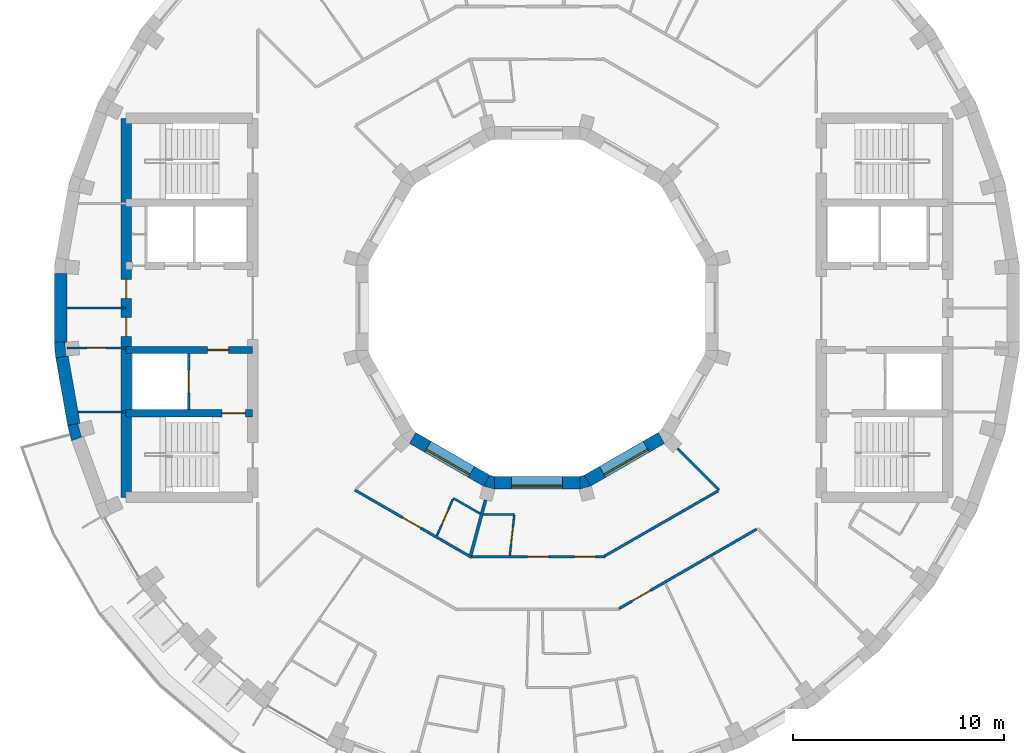
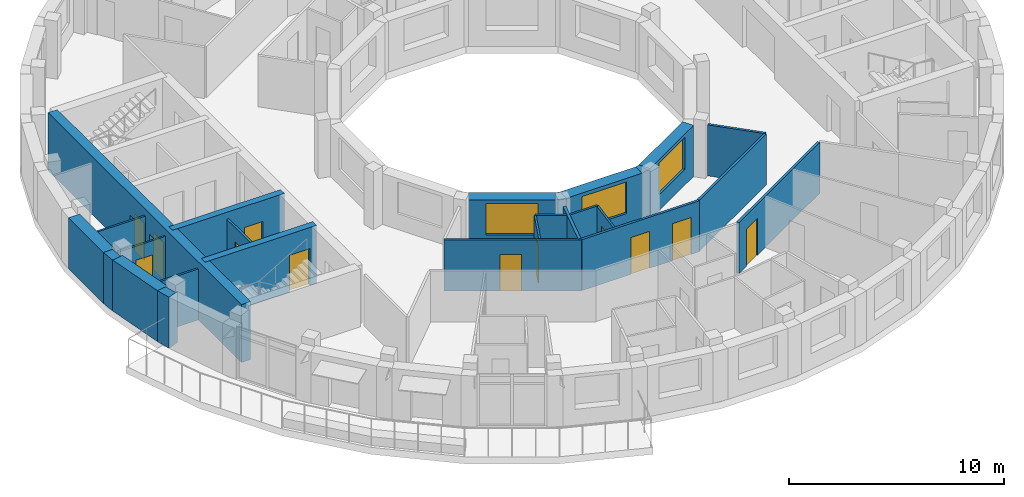
# One storey, part 5 of 12: 26 walls, 12 doors, 3 windows, 15 openings.
"""IFC4 building model written with IfcOpenShell, lengths in metres."""

from ifc_helpers import new_model, si_unit, direction, frame, frame_2d, origin, place, context, subcontext, project, spatial, polyline, rectangle, outline, extrude, material, layer, layer_set, type_object, element, fill, save


model = new_model("IFC4")

# Units and contexts
model_context = context("Model", 3, precision=1e-05, world=origin(), true_north=direction((0.0, 1.0)))
body_context = subcontext(model_context, "Body", "Model", "MODEL_VIEW")
ifc_project = project(units=[si_unit("LENGTHUNIT", "METRE"), si_unit("AREAUNIT", "SQUARE_METRE"), si_unit("VOLUMEUNIT", "CUBIC_METRE"), si_unit("PLANEANGLEUNIT", "RADIAN"), si_unit("MASSUNIT", "GRAM", prefix="KILO")], contexts=[model_context])

# Site, building, storey
site_placement = place(None, origin())
site = spatial("IfcSite", under=ifc_project, at=site_placement, CompositionType="ELEMENT")
building_placement = place(site_placement, origin())
building = spatial("IfcBuilding", under=site, at=building_placement, Name="Saqina Gate Tower", CompositionType="ELEMENT")
storey_placement = place(building_placement, frame((0.0, 0.0, 262.699951171875)))
storey = spatial("IfcBuildingStorey", under=building, at=storey_placement, Name="L75", CompositionType="ELEMENT", Elevation=262.699951171875)

# Walls
ifc_material_1 = material(Name="Brick masonry (buff)", Category="masonry")
wall_type_1 = type_object("IfcWallType", Name="BRICK PIER COPING BUFF", PredefinedType="SOLIDWALL", material=ifc_material_1)
wall_1_placement = place(storey_placement, origin())
element("IfcWall", 1, at=wall_1_placement, inside=storey, type_object=wall_type_1, Name="Pier cap L75 column 19", PredefinedType="SOLIDWALL", context=body_context, shape_type="SweptSolid", body=[
    extrude(outline(polyline([(-22.91259765625, -1.625732421875), (-22.8466796875, -2.377685546875), (-22.255859375, -2.2734375), (-22.361083984375, -2.28271484375), (-22.417724609375, -1.635009765625), (-22.3125, -1.625732421875), (-22.91259765625, -1.625732421875)])), origin(), (0.0, 0.0, 1.0), 2.900146484375),
])
wall_2_placement = place(storey_placement, origin())
element("IfcWall", 2, at=wall_2_placement, inside=storey, type_object=wall_type_1, Name="Pier cap L75 column 20", PredefinedType="SOLIDWALL", context=body_context, shape_type="SweptSolid", body=[
    extrude(outline(polyline([(-22.0869140625, -6.30859375), (-21.52294921875, -6.103515625), (-21.625, -6.130859375), (-21.793212890625, -5.5029296875), (-21.691162109375, -5.4755859375), (-22.281982421875, -5.579833984375), (-22.0869140625, -6.30859375)])), origin(), (0.0, 0.0, 1.0), 2.900146484375),
])
ifc_material_2 = material(Name="Gypsum board on steel studs", Category="steel")
ifc_layer_1 = layer(ifc_material_2, 0.10009765625)
ifc_layer_set_1 = layer_set([ifc_layer_1], Name="CORE PARTITION")
wall_type_2 = type_object("IfcWallType", Name="CORE PARTITION", PredefinedType="PARTITIONING", material=ifc_layer_set_1)
wall_3_placement = place(storey_placement, frame((-19.5, -4.949951171875, 0.0), z_axis=(0.0, 0.0, 1.0), x_axis=(-1.0, 0.0, 0.0)))
element("IfcWall", 3, at=wall_3_placement, inside=storey, type_object=wall_type_2, Name="L75-CP-W03", PredefinedType="PARTITIONING", context=body_context, shape_type="SweptSolid", body=[
    extrude(rectangle(XDim=2.283935546875, YDim=0.10009765625, at=frame_2d((1.14208984375, 0.0))), origin(), (0.0, 0.0, 1.0), 2.900146484375),
])

# Wall, opening, door
wall_4_placement = place(storey_placement, frame((-19.5, -1.89990234375, 0.0), z_axis=(0.0, 0.0, 1.0), x_axis=(-1.0, 0.0, 0.0)))
wall_4 = element("IfcWall", 4, at=wall_4_placement, inside=storey, type_object=wall_type_2, Name="L75-CP-W04", PredefinedType="PARTITIONING", context=body_context, shape_type="SweptSolid", body=[
    extrude(rectangle(XDim=2.8125, YDim=0.10009765625, at=frame_2d((1.40625, 0.0))), origin(), (0.0, 0.0, 1.0), 2.900146484375),
])
opening_1_placement = place(wall_4_placement, frame((0.956298828125, 0.0, 0.0)))
opening_1 = element("IfcOpeningElement", 5, at=opening_1_placement, cuts=wall_4, Name="Opening G22-D103", PredefinedType="OPENING", context=body_context, shape_type="SweptSolid", body=[
    extrude(rectangle(XDim=0.89990234375, YDim=2.10009765625, at=frame_2d((0.449951171875, 1.050048828125))), frame((0.0, 0.06201171875, 0.0), z_axis=(0.0, -1.0, 0.0), x_axis=(1.0, 0.0, 0.0)), (0.0, 0.0, 1.0), 0.1240234375),
])
ifc_material_3 = material(Name="Steel-framed fire door leaf, EI 60", Category="steel")
door_type_1 = type_object("IfcDoorType", Name="SERVICE ROOM DOOR 900", OperationType="SINGLE_SWING_LEFT", PredefinedType="DOOR", material=ifc_material_3)
door_1_placement = place(opening_1_placement, origin())
door_1 = element("IfcDoor", 6, at=door_1_placement, inside=storey, type_object=door_type_1, Name="L75-CD-W14", OperationType="SINGLE_SWING_RIGHT", OverallHeight=2.10009765625, OverallWidth=0.89990234375, PredefinedType="DOOR", context=body_context, shape_type="SweptSolid", body=[
    extrude(rectangle(XDim=0.89990234375, YDim=2.10009765625, at=frame_2d((0.449951171875, 1.050048828125))), frame((0.0, 0.02490234375, 0.0), z_axis=(0.0, -1.0, 0.0), x_axis=(1.0, 0.0, 0.0)), (0.0, 0.0, 1.0), 0.050048828125),
])
fill(opening_1, door_1)

# Walls
wall_5_placement = place(storey_placement, frame((-19.5, 0.0, 0.0), z_axis=(0.0, 0.0, 1.0), x_axis=(-1.0, 0.0, 0.0)))
element("IfcWall", 7, at=wall_5_placement, inside=storey, type_object=wall_type_2, Name="L75-CP-W05", PredefinedType="PARTITIONING", context=body_context, shape_type="SweptSolid", body=[
    extrude(rectangle(XDim=2.8125, YDim=0.10009765625, at=frame_2d((1.40625, 0.0))), origin(), (0.0, 0.0, 1.0), 2.900146484375),
])
ifc_material_4 = material(Name="Glazed ceramic tile", Category="ceramic")
ifc_layer_2 = layer(ifc_material_4, 0.60009765625)
ifc_layer_set_2 = layer_set([ifc_layer_2], Name="FW-TILE")
wall_type_3 = type_object("IfcWallType", Name="FW-TILE", PredefinedType="SOLIDWALL", material=ifc_layer_set_2)
wall_6_placement = place(storey_placement, frame((-22.612548828125, 1.625732421875, 0.0), z_axis=(0.0, 0.0, 1.0), x_axis=(0.0, -1.0, 0.0)))
element("IfcWall", 8, at=wall_6_placement, inside=storey, type_object=wall_type_3, Name="Facade wall L75 facet 18", PredefinedType="SOLIDWALL", context=body_context, shape_type="SweptSolid", body=[
    extrude(rectangle(XDim=3.25146484375, YDim=0.60009765625, at=frame_2d((1.625732421875, 0.0))), origin(), (0.0, 0.0, 1.0), 2.900146484375),
])
ifc_material_5 = material(Name="Glazed ceramic tile (dark blue)", Category="ceramic")
ifc_layer_3 = layer(ifc_material_5, 0.60009765625)
ifc_layer_set_3 = layer_set([ifc_layer_3], Name="FW-TILE-CB")
wall_type_4 = type_object("IfcWallType", Name="FW-TILE-CB", PredefinedType="SOLIDWALL", material=ifc_layer_set_3)
wall_7_placement = place(storey_placement, frame((-22.55126953125, -2.325439453125, 0.0), z_axis=(0.0, 0.0, 1.0), x_axis=(0.173656842178, -0.984806225186, 0.0)))
element("IfcWall", 9, at=wall_7_placement, inside=storey, type_object=wall_type_4, Name="Facade wall L75 facet 19", PredefinedType="SOLIDWALL", context=body_context, shape_type="SweptSolid", body=[
    extrude(rectangle(XDim=3.251708984375, YDim=0.60009765625, at=frame_2d((1.6259765625, 0.0))), origin(), (0.0, 0.0, 1.0), 2.900146484375),
])

# Wall, opening, window
ifc_material_6 = material(Name="Glazed ceramic tile", Category="ceramic")
ifc_layer_4 = layer(ifc_material_6, 0.60009765625)
ifc_layer_set_4 = layer_set([ifc_layer_4], Name="IW-TILE")
wall_type_5 = type_object("IfcWallType", Name="IW-TILE", PredefinedType="SOLIDWALL", material=ifc_layer_set_4)
wall_8_placement = place(storey_placement, frame((-5.907470703125, -6.17333984375, 0.0), z_axis=(0.0, 0.0, 1.0), x_axis=(0.866028316509, -0.499994954979, 0.0)))
wall_8 = element("IfcWall", 10, at=wall_8_placement, inside=storey, type_object=wall_type_5, Name="Well wall L75 facet 8", PredefinedType="SOLIDWALL", context=body_context, shape_type="SweptSolid", body=[
    extrude(rectangle(XDim=4.05859375, YDim=0.60009765625, at=frame_2d((2.029296875, 0.0))), origin(), (0.0, 0.0, 1.0), 2.900146484375),
])
opening_2_placement = place(wall_8_placement, frame((0.829345703125, 0.0, 0.89990234375)))
opening_2 = element("IfcOpeningElement", 11, at=opening_2_placement, cuts=wall_8, Name="Opening G22-W30", PredefinedType="OPENING", context=body_context, shape_type="SweptSolid", body=[
    extrude(rectangle(XDim=2.39990234375, YDim=1.800048828125, at=frame_2d((1.199951171875, 0.89990234375))), frame((0.0, 0.31201171875, 0.0), z_axis=(0.0, -1.0, 0.0), x_axis=(1.0, 0.0, 0.0)), (0.0, 0.0, 1.0), 0.6240234375),
])
ifc_material_7 = material(Name="Aluminium glazing", Category="aluminium")
window_type = type_object("IfcWindowType", Name="WN-W", PartitioningType="SINGLE_PANEL", PredefinedType="WINDOW", material=ifc_material_7)
window_1_placement = place(opening_2_placement, origin())
window_1 = element("IfcWindow", 12, at=window_1_placement, inside=storey, type_object=window_type, Name="Well window L75 facet 8", OverallHeight=1.800048828125, OverallWidth=2.39990234375, PartitioningType="SINGLE_PANEL", PredefinedType="WINDOW", context=body_context, shape_type="SweptSolid", body=[
    extrude(rectangle(XDim=2.39990234375, YDim=1.800048828125, at=frame_2d((1.199951171875, 0.89990234375))), frame((0.0, -0.119873046875, 0.0), z_axis=(0.0, -1.0, 0.0), x_axis=(1.0, 0.0, 0.0)), (0.0, 0.0, 1.0), 0.06005859375),
])
fill(opening_2, window_1)

wall_9_placement = place(storey_placement, frame((-2.029296875, -8.300048828125, 0.0), z_axis=(0.0, 0.0, 1.0), x_axis=(1.0, 0.0, 0.0)))
wall_9 = element("IfcWall", 13, at=wall_9_placement, inside=storey, type_object=wall_type_5, Name="Well wall L75 facet 9", PredefinedType="SOLIDWALL", context=body_context, shape_type="SweptSolid", body=[
    extrude(rectangle(XDim=4.05859375, YDim=0.60009765625, at=frame_2d((2.029296875, 0.0))), origin(), (0.0, 0.0, 1.0), 2.900146484375),
])
opening_3_placement = place(wall_9_placement, frame((0.829345703125, 0.0, 0.89990234375)))
opening_3 = element("IfcOpeningElement", 14, at=opening_3_placement, cuts=wall_9, Name="Opening G22-W31", PredefinedType="OPENING", context=body_context, shape_type="SweptSolid", body=[
    extrude(rectangle(XDim=2.39990234375, YDim=1.800048828125, at=frame_2d((1.199951171875, 0.89990234375))), frame((0.0, 0.31201171875, 0.0), z_axis=(0.0, -1.0, 0.0), x_axis=(1.0, 0.0, 0.0)), (0.0, 0.0, 1.0), 0.6240234375),
])
window_2_placement = place(opening_3_placement, origin())
window_2 = element("IfcWindow", 15, at=window_2_placement, inside=storey, type_object=window_type, Name="Well window L75 facet 9", OverallHeight=1.800048828125, OverallWidth=2.39990234375, PartitioningType="SINGLE_PANEL", PredefinedType="WINDOW", context=body_context, shape_type="SweptSolid", body=[
    extrude(rectangle(XDim=2.39990234375, YDim=1.800048828125, at=frame_2d((1.199951171875, 0.89990234375))), frame((0.0, -0.119873046875, 0.0), z_axis=(0.0, -1.0, 0.0), x_axis=(1.0, 0.0, 0.0)), (0.0, 0.0, 1.0), 0.06005859375),
])
fill(opening_3, window_2)

wall_10_placement = place(storey_placement, frame((2.392578125, -8.20263671875, 0.0), z_axis=(0.0, 0.0, 1.0), x_axis=(0.866028316509, 0.499994954979, 0.0)))
wall_10 = element("IfcWall", 16, at=wall_10_placement, inside=storey, type_object=wall_type_5, Name="Well wall L75 facet 10", PredefinedType="SOLIDWALL", context=body_context, shape_type="SweptSolid", body=[
    extrude(rectangle(XDim=4.05859375, YDim=0.60009765625, at=frame_2d((2.029296875, 0.0))), origin(), (0.0, 0.0, 1.0), 2.900146484375),
])
opening_4_placement = place(wall_10_placement, frame((0.829345703125, 0.0, 0.89990234375)))
opening_4 = element("IfcOpeningElement", 17, at=opening_4_placement, cuts=wall_10, Name="Opening G22-W32", PredefinedType="OPENING", context=body_context, shape_type="SweptSolid", body=[
    extrude(rectangle(XDim=2.39990234375, YDim=1.800048828125, at=frame_2d((1.199951171875, 0.89990234375))), frame((0.0, 0.31201171875, 0.0), z_axis=(0.0, -1.0, 0.0), x_axis=(1.0, 0.0, 0.0)), (0.0, 0.0, 1.0), 0.6240234375),
])
window_3_placement = place(opening_4_placement, origin())
window_3 = element("IfcWindow", 18, at=window_3_placement, inside=storey, type_object=window_type, Name="Well window L75 facet 10", OverallHeight=1.800048828125, OverallWidth=2.39990234375, PartitioningType="SINGLE_PANEL", PredefinedType="WINDOW", context=body_context, shape_type="SweptSolid", body=[
    extrude(rectangle(XDim=2.39990234375, YDim=1.800048828125, at=frame_2d((1.199951171875, 0.89990234375))), frame((0.0, -0.119873046875, 0.0), z_axis=(0.0, -1.0, 0.0), x_axis=(1.0, 0.0, 0.0)), (0.0, 0.0, 1.0), 0.06005859375),
])
fill(opening_4, window_3)

# Walls
ifc_material_8 = material(Name="Gypsum board on steel studs, 100 mm", Category="steel")
ifc_layer_5 = layer(ifc_material_8, 0.10009765625)
ifc_layer_set_5 = layer_set([ifc_layer_5], Name="PARTITION 100")
wall_type_6 = type_object("IfcWallType", Name="PARTITION 100", PredefinedType="PARTITIONING", material=ifc_layer_set_5)
wall_11_placement = place(storey_placement, frame((-3.971923828125, -9.033935546875, 0.0), z_axis=(0.0, 0.0, 1.0), x_axis=(0.865841190759, -0.500318930668, 0.0)))
element("IfcWall", 19, at=wall_11_placement, inside=storey, type_object=wall_type_6, Name="PARTITION PW3-18", PredefinedType="PARTITIONING", context=body_context, shape_type="SweptSolid", body=[
    extrude(rectangle(XDim=1.47607421875, YDim=0.10009765625, at=frame_2d((0.738037109375, 0.0))), origin(), (0.0, 0.0, 1.0), 2.900146484375),
])
wall_12_placement = place(storey_placement, frame((-2.553955078125, -9.81005859375, 0.0), z_axis=(0.0, 0.0, 1.0), x_axis=(1.0, 0.0, 0.0)))
element("IfcWall", 20, at=wall_12_placement, inside=storey, type_object=wall_type_6, Name="PARTITION PW3-28", PredefinedType="PARTITIONING", context=body_context, shape_type="SweptSolid", body=[
    extrude(rectangle(XDim=1.47705078125, YDim=0.10009765625, at=frame_2d((0.738525390625, 0.0))), origin(), (0.0, 0.0, 1.0), 2.900146484375),
])

# Wall, opening, door
wall_13_placement = place(storey_placement, frame((-4.7568359375, -10.81884765625, 0.0), z_axis=(0.0, 0.0, 1.0), x_axis=(0.402510340415, 0.915415438945, 0.0)))
wall_13 = element("IfcWall", 21, at=wall_13_placement, inside=storey, type_object=wall_type_6, Name="PARTITION PW3-47", PredefinedType="PARTITIONING", context=body_context, shape_type="SweptSolid", body=[
    extrude(rectangle(XDim=1.899658203125, YDim=0.10009765625, at=frame_2d((0.94970703125, 0.0))), origin(), (0.0, 0.0, 1.0), 2.900146484375),
])
opening_5_placement = place(wall_13_placement, frame((0.543701171875, 0.0, 0.0)))
opening_5 = element("IfcOpeningElement", 22, at=opening_5_placement, cuts=wall_13, Name="Opening G22-D30", PredefinedType="OPENING", context=body_context, shape_type="SweptSolid", body=[
    extrude(rectangle(XDim=0.800048828125, YDim=2.10009765625, at=frame_2d((0.39990234375, 1.050048828125))), frame((0.0, 0.06201171875, 0.0), z_axis=(0.0, -1.0, 0.0), x_axis=(1.0, 0.0, 0.0)), (0.0, 0.0, 1.0), 0.1240234375),
])
ifc_material_9 = material(Name="Timber door leaf, 800 mm", Category="wood")
door_type_2 = type_object("IfcDoorType", Name="DOOR 800 TIMBER", OperationType="SINGLE_SWING_LEFT", PredefinedType="DOOR", material=ifc_material_9)
door_2_placement = place(opening_5_placement, origin())
door_2 = element("IfcDoor", 23, at=door_2_placement, inside=storey, type_object=door_type_2, Name="DOOR G22-D30", OperationType="SINGLE_SWING_LEFT", OverallHeight=2.10009765625, OverallWidth=0.800048828125, PredefinedType="DOOR", context=body_context, shape_type="SweptSolid", body=[
    extrude(rectangle(XDim=0.800048828125, YDim=2.10009765625, at=frame_2d((0.39990234375, 1.050048828125))), frame((0.0, 0.02490234375, 0.0), z_axis=(0.0, -1.0, 0.0), x_axis=(1.0, 0.0, 0.0)), (0.0, 0.0, 1.0), 0.050048828125),
])
fill(opening_5, door_2)

wall_14_placement = place(storey_placement, frame((-1.290283203125, -11.747802734375, 0.0), z_axis=(0.0, 0.0, 1.0), x_axis=(0.109373495701, 0.99400072356, 0.0)))
wall_14 = element("IfcWall", 24, at=wall_14_placement, inside=storey, type_object=wall_type_6, Name="PARTITION PW3-52", PredefinedType="PARTITIONING", context=body_context, shape_type="SweptSolid", body=[
    extrude(rectangle(XDim=1.899658203125, YDim=0.10009765625, at=frame_2d((0.94970703125, 0.0))), origin(), (0.0, 0.0, 1.0), 2.900146484375),
])
opening_6_placement = place(wall_14_placement, frame((0.54345703125, 0.0, 0.0)))
opening_6 = element("IfcOpeningElement", 25, at=opening_6_placement, cuts=wall_14, Name="Opening G22-D32", PredefinedType="OPENING", context=body_context, shape_type="SweptSolid", body=[
    extrude(rectangle(XDim=0.800048828125, YDim=2.10009765625, at=frame_2d((0.39990234375, 1.050048828125))), frame((0.0, 0.06201171875, 0.0), z_axis=(0.0, -1.0, 0.0), x_axis=(1.0, 0.0, 0.0)), (0.0, 0.0, 1.0), 0.1240234375),
])
door_3_placement = place(opening_6_placement, frame((0.800048828125, 0.0, 0.0), z_axis=(0.0, 0.0, 1.0), x_axis=(-1.0, 0.0, 0.0)))
door_3 = element("IfcDoor", 26, at=door_3_placement, inside=storey, type_object=door_type_2, Name="DOOR G22-D32", OperationType="SINGLE_SWING_RIGHT", OverallHeight=2.10009765625, OverallWidth=0.800048828125, PredefinedType="DOOR", context=body_context, shape_type="SweptSolid", body=[
    extrude(rectangle(XDim=0.800048828125, YDim=2.10009765625, at=frame_2d((0.39990234375, 1.050048828125))), frame((0.0, 0.02490234375, 0.0), z_axis=(0.0, -1.0, 0.0), x_axis=(1.0, 0.0, 0.0)), (0.0, 0.0, 1.0), 0.050048828125),
])
fill(opening_6, door_3)

# Wall
ifc_material_10 = material(Name="Gypsum board on steel studs, 125 mm, fire rated", Category="steel")
ifc_layer_6 = layer(ifc_material_10, 0.125)
ifc_layer_set_6 = layer_set([ifc_layer_6], Name="PARTITION EI 30 125")
wall_type_7 = type_object("IfcWallType", Name="PARTITION EI 30 125", PredefinedType="PARTITIONING", material=ifc_layer_set_6)
wall_15_placement = place(storey_placement, frame((6.6767578125, -6.6767578125, 0.0), z_axis=(0.0, 0.0, 1.0), x_axis=(0.707106781187, -0.707106781187, 0.0)))
element("IfcWall", 27, at=wall_15_placement, inside=storey, type_object=wall_type_7, Name="PARTITION PW1-06", PredefinedType="PARTITIONING", context=body_context, shape_type="SweptSolid", body=[
    extrude(rectangle(XDim=2.784912109375, YDim=0.125, at=frame_2d((1.392578125, 0.0))), origin(), (0.0, 0.0, 1.0), 2.900146484375),
])

# Wall, opening, door
wall_16_placement = place(storey_placement, frame((-8.64599609375, -8.64599609375, 0.0), z_axis=(0.0, 0.0, 1.0), x_axis=(0.866085253322, -0.49989632323, 0.0)))
wall_16 = element("IfcWall", 28, at=wall_16_placement, inside=storey, type_object=wall_type_7, Name="PARTITION PW1-12", PredefinedType="PARTITIONING", context=body_context, shape_type="SweptSolid", body=[
    extrude(rectangle(XDim=6.401611328125, YDim=0.125, at=frame_2d((3.20068359375, 0.0))), origin(), (0.0, 0.0, 1.0), 2.900146484375),
])
opening_7_placement = place(wall_16_placement, frame((2.614013671875, 0.0, 0.0)))
opening_7 = element("IfcOpeningElement", 29, at=opening_7_placement, cuts=wall_16, Name="Opening G22-D29", PredefinedType="OPENING", context=body_context, shape_type="SweptSolid", body=[
    extrude(rectangle(XDim=1.0, YDim=2.10009765625, at=frame_2d((0.5, 1.050048828125))), frame((0.0, 0.074462890625, 0.0), z_axis=(0.0, -1.0, 0.0), x_axis=(1.0, 0.0, 0.0)), (0.0, 0.0, 1.0), 0.14892578125),
])
ifc_material_11 = material(Name="Fire door leaf EI 30, 1000 mm")
door_type_3 = type_object("IfcDoorType", Name="DOOR 1000 EI 30", OperationType="SINGLE_SWING_LEFT", PredefinedType="DOOR", material=ifc_material_11)
door_4_placement = place(opening_7_placement, origin())
door_4 = element("IfcDoor", 30, at=door_4_placement, inside=storey, type_object=door_type_3, Name="DOOR G22-D29", OperationType="SINGLE_SWING_LEFT", OverallHeight=2.10009765625, OverallWidth=1.0, PredefinedType="DOOR", context=body_context, shape_type="SweptSolid", body=[
    extrude(rectangle(XDim=1.0, YDim=2.10009765625, at=frame_2d((0.5, 1.050048828125))), frame((0.0, 0.02490234375, 0.0), z_axis=(0.0, -1.0, 0.0), x_axis=(1.0, 0.0, 0.0)), (0.0, 0.0, 1.0), 0.050048828125),
])
fill(opening_7, door_4)

# Wall, openings, doors
wall_17_placement = place(storey_placement, frame((-3.1015625, -11.81005859375, 0.0), z_axis=(0.0, 0.0, 1.0), x_axis=(1.0, 0.0, 0.0)))
wall_17 = element("IfcWall", 31, at=wall_17_placement, inside=storey, type_object=wall_type_7, Name="PARTITION PW1-18", PredefinedType="PARTITIONING", context=body_context, shape_type="SweptSolid", body=[
    extrude(rectangle(XDim=6.337646484375, YDim=0.125, at=frame_2d((3.1689453125, 0.0))), origin(), (0.0, 0.0, 1.0), 2.900146484375),
])
opening_8_placement = place(wall_17_placement, frame((2.652099609375, 0.0, 0.0)))
opening_8 = element("IfcOpeningElement", 32, at=opening_8_placement, cuts=wall_17, Name="Opening G22-D35", PredefinedType="OPENING", context=body_context, shape_type="SweptSolid", body=[
    extrude(rectangle(XDim=1.0, YDim=2.10009765625, at=frame_2d((0.5, 1.050048828125))), frame((0.0, 0.074462890625, 0.0), z_axis=(0.0, -1.0, 0.0), x_axis=(1.0, 0.0, 0.0)), (0.0, 0.0, 1.0), 0.14892578125),
])
opening_9_placement = place(wall_17_placement, frame((4.883056640625, 0.0, 0.0)))
opening_9 = element("IfcOpeningElement", 33, at=opening_9_placement, cuts=wall_17, Name="Opening G22-D38", PredefinedType="OPENING", context=body_context, shape_type="SweptSolid", body=[
    extrude(rectangle(XDim=1.0, YDim=2.10009765625, at=frame_2d((0.5, 1.050048828125))), frame((0.0, 0.074462890625, 0.0), z_axis=(0.0, -1.0, 0.0), x_axis=(1.0, 0.0, 0.0)), (0.0, 0.0, 1.0), 0.14892578125),
])
door_5_placement = place(opening_8_placement, origin())
door_5 = element("IfcDoor", 34, at=door_5_placement, inside=storey, type_object=door_type_3, Name="DOOR G22-D35", OperationType="SINGLE_SWING_LEFT", OverallHeight=2.10009765625, OverallWidth=1.0, PredefinedType="DOOR", context=body_context, shape_type="SweptSolid", body=[
    extrude(rectangle(XDim=1.0, YDim=2.10009765625, at=frame_2d((0.5, 1.050048828125))), frame((0.0, 0.02490234375, 0.0), z_axis=(0.0, -1.0, 0.0), x_axis=(1.0, 0.0, 0.0)), (0.0, 0.0, 1.0), 0.050048828125),
])
fill(opening_8, door_5)
door_6_placement = place(opening_9_placement, origin())
door_6 = element("IfcDoor", 35, at=door_6_placement, inside=storey, type_object=door_type_3, Name="DOOR G22-D38", OperationType="SINGLE_SWING_RIGHT", OverallHeight=2.10009765625, OverallWidth=1.0, PredefinedType="DOOR", context=body_context, shape_type="SweptSolid", body=[
    extrude(rectangle(XDim=1.0, YDim=2.10009765625, at=frame_2d((0.5, 1.050048828125))), frame((0.0, 0.02490234375, 0.0), z_axis=(0.0, -1.0, 0.0), x_axis=(1.0, 0.0, 0.0)), (0.0, 0.0, 1.0), 0.050048828125),
])
fill(opening_9, door_6)

# Wall
wall_18_placement = place(storey_placement, frame((3.216064453125, -11.775146484375, 0.0), z_axis=(0.0, 0.0, 1.0), x_axis=(0.86736732566, 0.497668486422, 0.0)))
element("IfcWall", 36, at=wall_18_placement, inside=storey, type_object=wall_type_7, Name="PARTITION PW1-25", PredefinedType="PARTITIONING", context=body_context, shape_type="SweptSolid", body=[
    extrude(rectangle(XDim=6.2021484375, YDim=0.125, at=frame_2d((3.10107421875, 0.0))), origin(), (0.0, 0.0, 1.0), 2.900146484375),
])

# Wall, opening, door
wall_19_placement = place(storey_placement, frame((3.88818359375, -14.27880859375, 0.0), z_axis=(0.0, 0.0, 1.0), x_axis=(0.866068111199, 0.499926021291, 0.0)))
wall_19 = element("IfcWall", 37, at=wall_19_placement, inside=storey, type_object=wall_type_7, Name="PARTITION PW1-26", PredefinedType="PARTITIONING", context=body_context, shape_type="SweptSolid", body=[
    extrude(rectangle(XDim=7.544189453125, YDim=0.125, at=frame_2d((3.77197265625, 0.0))), origin(), (0.0, 0.0, 1.0), 2.900146484375),
])
opening_10_placement = place(wall_19_placement, frame((0.72705078125, 0.0, 0.0)))
opening_10 = element("IfcOpeningElement", 38, at=opening_10_placement, cuts=wall_19, Name="Opening G22-D40", PredefinedType="OPENING", context=body_context, shape_type="SweptSolid", body=[
    extrude(rectangle(XDim=1.0, YDim=2.10009765625, at=frame_2d((0.5, 1.050048828125))), frame((0.0, 0.074462890625, 0.0), z_axis=(0.0, -1.0, 0.0), x_axis=(1.0, 0.0, 0.0)), (0.0, 0.0, 1.0), 0.14892578125),
])
door_7_placement = place(opening_10_placement, frame((1.0, 0.0, 0.0), z_axis=(0.0, 0.0, 1.0), x_axis=(-1.0, 0.0, 0.0)))
door_7 = element("IfcDoor", 39, at=door_7_placement, inside=storey, type_object=door_type_3, Name="DOOR G22-D40", OperationType="SINGLE_SWING_RIGHT", OverallHeight=2.10009765625, OverallWidth=1.0, PredefinedType="DOOR", context=body_context, shape_type="SweptSolid", body=[
    extrude(rectangle(XDim=1.0, YDim=2.10009765625, at=frame_2d((0.5, 1.050048828125))), frame((0.0, 0.02490234375, 0.0), z_axis=(0.0, -1.0, 0.0), x_axis=(1.0, 0.0, 0.0)), (0.0, 0.0, 1.0), 0.050048828125),
])
fill(opening_10, door_7)

# Wall
ifc_material_12 = material(Name="Gypsum board on steel studs, 150 mm, fire rated", Category="steel")
ifc_layer_7 = layer(ifc_material_12, 0.14990234375)
ifc_layer_set_7 = layer_set([ifc_layer_7], Name="PARTITION EI 60 150")
wall_type_8 = type_object("IfcWallType", Name="PARTITION EI 60 150", PredefinedType="PARTITIONING", material=ifc_layer_set_7)
wall_20_placement = place(storey_placement, frame((-3.14794921875, -11.74951171875, 0.0), z_axis=(0.0, 0.0, 1.0), x_axis=(0.258438641581, 0.96602767483, 0.0)))
element("IfcWall", 40, at=wall_20_placement, inside=storey, type_object=wall_type_8, Name="PARTITION PW2-05", PredefinedType="PARTITIONING", context=body_context, shape_type="SweptSolid", body=[
    extrude(rectangle(XDim=2.7216796875, YDim=0.14990234375, at=frame_2d((1.36083984375, 0.0))), origin(), (0.0, 0.0, 1.0), 2.900146484375),
])

# Wall, opening, door
ifc_material_13 = material(Name="Autoclaved aerated concrete block", Category="concrete")
ifc_layer_8 = layer(ifc_material_13, 0.1201171875)
ifc_layer_set_8 = layer_set([ifc_layer_8], Name="SHAFT PARTITION")
wall_type_9 = type_object("IfcWallType", Name="SHAFT PARTITION", PredefinedType="PARTITIONING", material=ifc_layer_set_8)
wall_21_placement = place(storey_placement, frame((-16.530029296875, -4.824951171875, 0.0), z_axis=(0.0, 0.0, 1.0), x_axis=(0.0, 1.0, 0.0)))
wall_21 = element("IfcWall", 41, at=wall_21_placement, inside=storey, type_object=wall_type_9, Name="L75-CP-W08", PredefinedType="PARTITIONING", context=body_context, shape_type="SweptSolid", body=[
    extrude(rectangle(XDim=2.64990234375, YDim=0.1201171875, at=frame_2d((1.324951171875, 0.0))), origin(), (0.0, 0.0, 1.0), 2.900146484375),
])
opening_11_placement = place(wall_21_placement, frame((0.77490234375, 0.0, 0.0)))
opening_11 = element("IfcOpeningElement", 42, at=opening_11_placement, cuts=wall_21, Name="Opening G22-LD6", PredefinedType="OPENING", context=body_context, shape_type="SweptSolid", body=[
    extrude(rectangle(XDim=1.10009765625, YDim=2.10009765625, at=frame_2d((0.550048828125, 1.050048828125))), frame((0.0, 0.072021484375, 0.0), z_axis=(0.0, -1.0, 0.0), x_axis=(1.0, 0.0, 0.0)), (0.0, 0.0, 1.0), 0.14404296875),
])
ifc_material_14 = material(Name="Stainless steel", Category="steel")
door_type_4 = type_object("IfcDoorType", Name="LANDING DOOR", OperationType="DOUBLE_DOOR_SLIDING", PredefinedType="DOOR", material=ifc_material_14)
door_8_placement = place(opening_11_placement, origin())
door_8 = element("IfcDoor", 43, at=door_8_placement, inside=storey, type_object=door_type_4, Name="LANDING DOOR FF2", OperationType="DOUBLE_DOOR_SLIDING", OverallHeight=2.10009765625, OverallWidth=1.10009765625, PredefinedType="DOOR", context=body_context, shape_type="SweptSolid", body=[
    extrude(rectangle(XDim=1.10009765625, YDim=2.10009765625, at=frame_2d((0.550048828125, 1.050048828125))), frame((0.0, 0.02490234375, 0.0), z_axis=(0.0, -1.0, 0.0), x_axis=(1.0, 0.0, 0.0)), (0.0, 0.0, 1.0), 0.050048828125),
])
fill(opening_11, door_8)

ifc_material_15 = material(Name="Concrete C60/75", Category="concrete")
ifc_layer_9 = layer(ifc_material_15, 0.35009765625)
ifc_layer_set_9 = layer_set([ifc_layer_9], Name="Concrete C60/75")
wall_type_10 = type_object("IfcWallType", Name="STR-CORE WALL-D-I", PredefinedType="SHEAR", material=ifc_layer_set_9)
wall_22_placement = place(storey_placement, frame((-13.5, -5.0, 0.0), z_axis=(0.0, 0.0, 1.0), x_axis=(-1.0, 0.0, 0.0)))
wall_22 = element("IfcWall", 44, at=wall_22_placement, inside=storey, type_object=wall_type_10, Name="CORE WALL L75 W-X2", PredefinedType="SHEAR", context=body_context, shape_type="SweptSolid", body=[
    extrude(rectangle(XDim=6.0, YDim=0.35009765625, at=frame_2d((3.0, 0.0))), origin(), (0.0, 0.0, 1.0), 3.300048828125),
])
opening_12_placement = place(wall_22_placement, frame((0.35009765625, 0.0, 0.0)))
opening_12 = element("IfcOpeningElement", 45, at=opening_12_placement, cuts=wall_22, Name="Opening G22-D106", PredefinedType="OPENING", context=body_context, shape_type="SweptSolid", body=[
    extrude(rectangle(XDim=1.10009765625, YDim=2.10009765625, at=frame_2d((0.550048828125, 1.050048828125))), frame((0.0, 0.18701171875, 0.0), z_axis=(0.0, -1.0, 0.0), x_axis=(1.0, 0.0, 0.0)), (0.0, 0.0, 1.0), 0.3740234375),
])
ifc_material_16 = material(Name="Steel", Category="steel")
door_type_5 = type_object("IfcDoorType", Name="FIRE LOBBY DOOR EI 60 WIDE", OperationType="SINGLE_SWING_LEFT", PredefinedType="DOOR", material=ifc_material_16)
door_9_placement = place(opening_12_placement, origin())
door_9 = element("IfcDoor", 46, at=door_9_placement, inside=storey, type_object=door_type_5, Name="L75-CD-W17", OperationType="SINGLE_SWING_LEFT", OverallHeight=2.10009765625, OverallWidth=1.10009765625, PredefinedType="DOOR", context=body_context, shape_type="SweptSolid", body=[
    extrude(rectangle(XDim=1.10009765625, YDim=2.10009765625, at=frame_2d((0.550048828125, 1.050048828125))), frame((0.0, 0.02490234375, 0.0), z_axis=(0.0, -1.0, 0.0), x_axis=(1.0, 0.0, 0.0)), (0.0, 0.0, 1.0), 0.050048828125),
])
fill(opening_12, door_9)

wall_23_placement = place(storey_placement, frame((-13.5, -2.0, 0.0), z_axis=(0.0, 0.0, 1.0), x_axis=(-1.0, 0.0, 0.0)))
wall_23 = element("IfcWall", 47, at=wall_23_placement, inside=storey, type_object=wall_type_10, Name="CORE WALL L75 W-L2", PredefinedType="SHEAR", context=body_context, shape_type="SweptSolid", body=[
    extrude(rectangle(XDim=6.0, YDim=0.35009765625, at=frame_2d((3.0, 0.0))), origin(), (0.0, 0.0, 1.0), 3.300048828125),
])
opening_13_placement = place(wall_23_placement, frame((1.139892578125, 0.0, 0.0)))
opening_13 = element("IfcOpeningElement", 48, at=opening_13_placement, cuts=wall_23, Name="Opening G22-D101", PredefinedType="OPENING", context=body_context, shape_type="SweptSolid", body=[
    extrude(rectangle(XDim=1.0, YDim=2.10009765625, at=frame_2d((0.5, 1.050048828125))), frame((0.0, 0.18701171875, 0.0), z_axis=(0.0, -1.0, 0.0), x_axis=(1.0, 0.0, 0.0)), (0.0, 0.0, 1.0), 0.3740234375),
])
ifc_material_17 = material(Name="Steel", Category="steel")
door_type_6 = type_object("IfcDoorType", Name="FIRE LOBBY DOOR EI 60", OperationType="SINGLE_SWING_LEFT", PredefinedType="DOOR", material=ifc_material_17)
door_10_placement = place(opening_13_placement, frame((1.0, 0.0, 0.0), z_axis=(0.0, 0.0, 1.0), x_axis=(-1.0, 0.0, 0.0)))
door_10 = element("IfcDoor", 49, at=door_10_placement, inside=storey, type_object=door_type_6, Name="L75-CD-W12", OperationType="SINGLE_SWING_RIGHT", OverallHeight=2.10009765625, OverallWidth=1.0, PredefinedType="DOOR", context=body_context, shape_type="SweptSolid", body=[
    extrude(rectangle(XDim=1.0, YDim=2.10009765625, at=frame_2d((0.5, 1.050048828125))), frame((0.0, 0.02490234375, 0.0), z_axis=(0.0, -1.0, 0.0), x_axis=(1.0, 0.0, 0.0)), (0.0, 0.0, 1.0), 0.050048828125),
])
fill(opening_13, door_10)

# Wall, openings, doors
ifc_material_18 = material(Name="Concrete C60/75", Category="concrete")
ifc_layer_10 = layer(ifc_material_18, 0.5)
ifc_layer_set_10 = layer_set([ifc_layer_10], Name="Concrete C60/75")
wall_type_11 = type_object("IfcWallType", Name="STR-CORE WALL-D-O", PredefinedType="SHEAR", material=ifc_layer_set_10)
wall_24_placement = place(storey_placement, frame((-19.5, -9.0, 0.0), z_axis=(0.0, 0.0, 1.0), x_axis=(0.0, 1.0, 0.0)))
wall_24 = element("IfcWall", 50, at=wall_24_placement, inside=storey, type_object=wall_type_11, Name="CORE WALL L75 W-W2", PredefinedType="SHEAR", context=body_context, shape_type="SweptSolid", body=[
    extrude(rectangle(XDim=18.0, YDim=0.5, at=frame_2d((9.0, 0.0))), origin(), (0.0, 0.0, 1.0), 3.300048828125),
])
opening_14_placement = place(wall_24_placement, frame((9.449951171875, 0.0, 0.0)))
opening_14 = element("IfcOpeningElement", 51, at=opening_14_placement, cuts=wall_24, Name="Opening G22-D102", PredefinedType="OPENING", context=body_context, shape_type="SweptSolid", body=[
    extrude(rectangle(XDim=0.89990234375, YDim=2.10009765625, at=frame_2d((0.449951171875, 1.050048828125))), frame((0.0, 0.261962890625, 0.0), z_axis=(0.0, -1.0, 0.0), x_axis=(1.0, 0.0, 0.0)), (0.0, 0.0, 1.0), 0.52392578125),
])
opening_15_placement = place(wall_24_placement, frame((7.64990234375, 0.0, 0.0)))
opening_15 = element("IfcOpeningElement", 52, at=opening_15_placement, cuts=wall_24, Name="Opening G22-D104", PredefinedType="OPENING", context=body_context, shape_type="SweptSolid", body=[
    extrude(rectangle(XDim=0.89990234375, YDim=2.10009765625, at=frame_2d((0.449951171875, 1.050048828125))), frame((0.0, 0.261962890625, 0.0), z_axis=(0.0, -1.0, 0.0), x_axis=(1.0, 0.0, 0.0)), (0.0, 0.0, 1.0), 0.52392578125),
])
door_11_placement = place(opening_14_placement, origin())
door_11 = element("IfcDoor", 53, at=door_11_placement, inside=storey, type_object=door_type_1, Name="L75-CD-W13", OperationType="SINGLE_SWING_LEFT", OverallHeight=2.10009765625, OverallWidth=0.89990234375, PredefinedType="DOOR", context=body_context, shape_type="SweptSolid", body=[
    extrude(rectangle(XDim=0.89990234375, YDim=2.10009765625, at=frame_2d((0.449951171875, 1.050048828125))), frame((0.0, 0.02490234375, 0.0), z_axis=(0.0, -1.0, 0.0), x_axis=(1.0, 0.0, 0.0)), (0.0, 0.0, 1.0), 0.050048828125),
])
fill(opening_14, door_11)
door_12_placement = place(opening_15_placement, origin())
door_12 = element("IfcDoor", 54, at=door_12_placement, inside=storey, type_object=door_type_1, Name="L75-CD-W15", OperationType="SINGLE_SWING_LEFT", OverallHeight=2.10009765625, OverallWidth=0.89990234375, PredefinedType="DOOR", context=body_context, shape_type="SweptSolid", body=[
    extrude(rectangle(XDim=0.89990234375, YDim=2.10009765625, at=frame_2d((0.449951171875, 1.050048828125))), frame((0.0, 0.02490234375, 0.0), z_axis=(0.0, -1.0, 0.0), x_axis=(1.0, 0.0, 0.0)), (0.0, 0.0, 1.0), 0.050048828125),
])
fill(opening_15, door_12)

# Walls
ifc_material_19 = material(Name="Glazed ceramic tile", Category="ceramic")
wall_type_12 = type_object("IfcWallType", Name="TILE PIER COPING", PredefinedType="SOLIDWALL", material=ifc_material_19)
wall_25_placement = place(storey_placement, origin())
element("IfcWall", 55, at=wall_25_placement, inside=storey, type_object=wall_type_12, Name="Well pier cap L75 column 9", PredefinedType="SOLIDWALL", context=body_context, shape_type="SweptSolid", body=[
    extrude(outline(polyline([(-2.029296875, -8.60009765625), (-2.029296875, -8.0), (-2.242431640625, -7.94287109375), (-2.54248046875, -8.46240234375), (-2.029296875, -8.60009765625)])), origin(), (0.0, 0.0, 1.0), 2.900146484375),
])
wall_26_placement = place(storey_placement, origin())
element("IfcWall", 56, at=wall_26_placement, inside=storey, type_object=wall_type_12, Name="Well pier cap L75 column 10", PredefinedType="SOLIDWALL", context=body_context, shape_type="SweptSolid", body=[
    extrude(outline(polyline([(2.54248046875, -8.46240234375), (2.242431640625, -7.94287109375), (2.029296875, -8.0), (2.029296875, -8.60009765625), (2.54248046875, -8.46240234375)])), origin(), (0.0, 0.0, 1.0), 2.900146484375),
])

save(model, "model.ifc")
